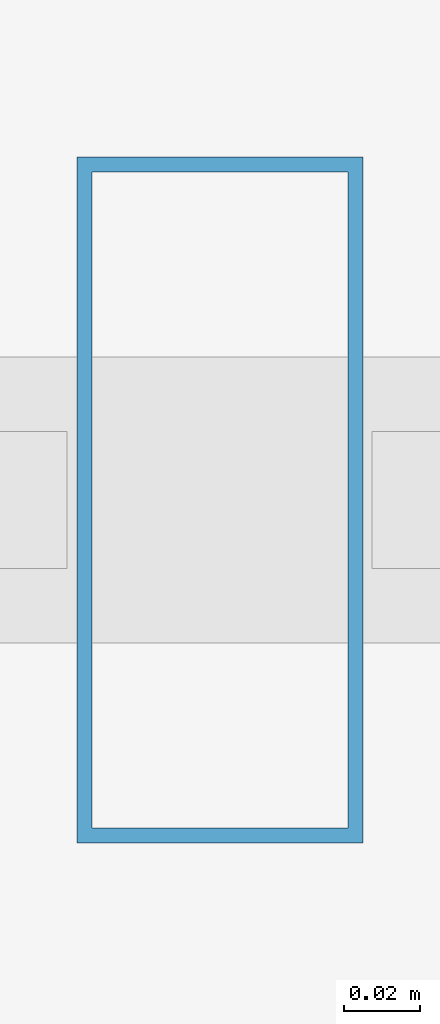
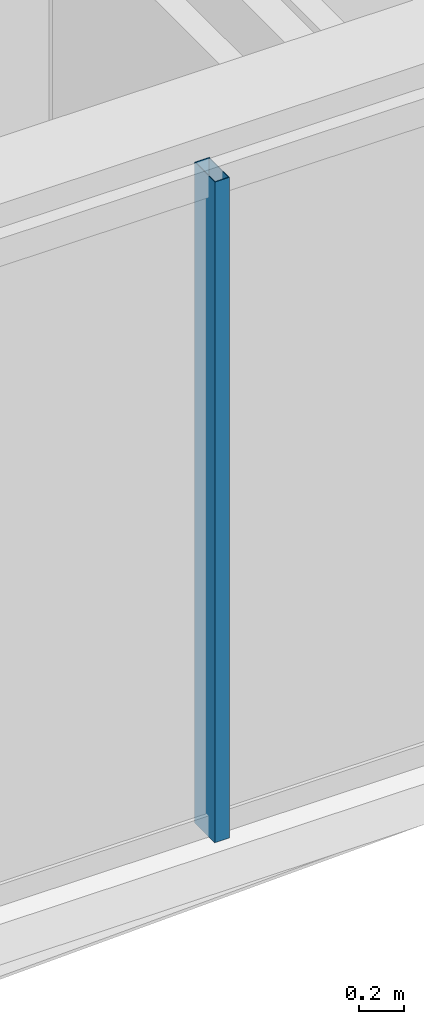
# One storey, part 9 of 32: 1 member, 1 element without a shape of its own.
"""IFC4 building model written with IfcOpenShell, lengths in metres."""

from ifc_helpers import new_model, si_unit, direction, frame, origin, origin_2d, place, context, subcontext, project, spatial, hollow_rectangle, extrude, material, layer, layer_set, material_profile, profile_set, type_object, element, aggregate, save


model = new_model("IFC4")

# Units and contexts
model_context = context("Model", 3, precision=1e-05, world=origin(), true_north=direction((0.0, 1.0)))
body_context = subcontext(model_context, "Body", "Model", "MODEL_VIEW")
ifc_project = project(units=[si_unit("LENGTHUNIT", "METRE"), si_unit("AREAUNIT", "SQUARE_METRE"), si_unit("VOLUMEUNIT", "CUBIC_METRE"), si_unit("PLANEANGLEUNIT", "RADIAN"), si_unit("MASSUNIT", "GRAM", prefix="KILO")], contexts=[model_context])

# Site, building, storey
site_placement = place(None, origin())
site = spatial("IfcSite", under=ifc_project, at=site_placement, CompositionType="ELEMENT")
building_placement = place(site_placement, origin())
building = spatial("IfcBuilding", under=site, at=building_placement, Name="Ndaravel Arena Tower", CompositionType="ELEMENT")
storey_placement = place(building_placement, frame((0.0, 0.0, 96.800048828125)))
storey = spatial("IfcBuildingStorey", under=building, at=storey_placement, Name="L22", CompositionType="ELEMENT", Elevation=96.800048828125)

# Curtain wall, member
ifc_material_1 = material(Name="Aluminium", Category="aluminium")
ifc_layer = layer(ifc_material_1, 0.179931640625)
ifc_layer_set = layer_set([ifc_layer], Name="Aluminium")
curtain_wall_type = type_object("IfcCurtainWallType", Name="CW-SYS-03", PredefinedType="NOTDEFINED", material=ifc_layer_set)
curtain_wall_placement = place(storey_placement, origin())
curtain_wall = element("IfcCurtainWall", 1, at=curtain_wall_placement, inside=storey, type_object=curtain_wall_type, Name="L22 Faceted Crystal Curtain Wall CW-L22-E01", PredefinedType="NOTDEFINED")
ifc_material_2 = material(Name="Aluminium", Category="aluminium")
ifc_material_profile = material_profile(ifc_material_2, hollow_rectangle(XDim=0.074951171875, YDim=0.179931640625, WallThickness=0.00390625, at=origin_2d()), Name="CW MULLION 75x180x4")
ifc_profile_set = profile_set([ifc_material_profile], Name="Aluminium")
member_type = type_object("IfcMemberType", Name="MEM-CW-MUL180", PredefinedType="MULLION", material=ifc_profile_set)
member_placement = place(storey_placement, frame((46.153076171875, 5.159912109375, 0.0), z_axis=(0.0, 0.0, 1.0), x_axis=(1.0, 0.0, 0.0)))
member = element("IfcMember", 2, at=member_placement, type_object=member_type, Name="CW-L22-E01 Mullion 05", PredefinedType="MULLION", context=body_context, shape_type="SweptSolid", body=[
    extrude(hollow_rectangle(XDim=0.074951171875, YDim=0.179931640625, WallThickness=0.00390625, at=origin_2d()), origin(), (0.0, 0.0, 1.0), 3.579833984375),
])
aggregate(curtain_wall, [member])

save(model, "model.ifc")
